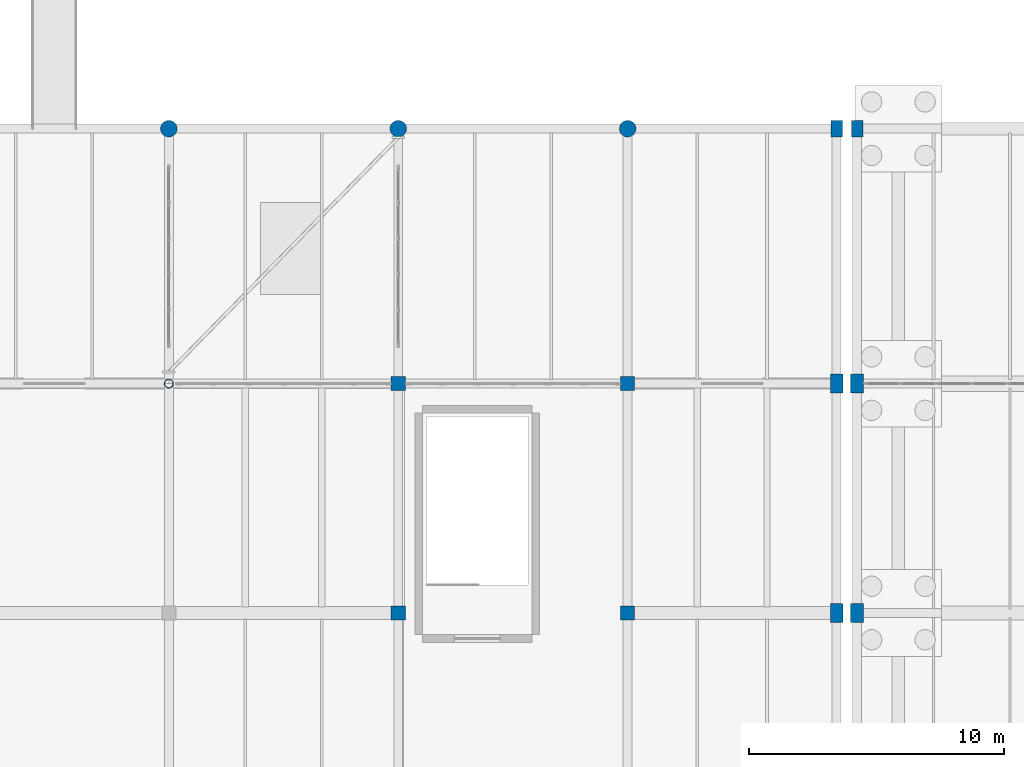
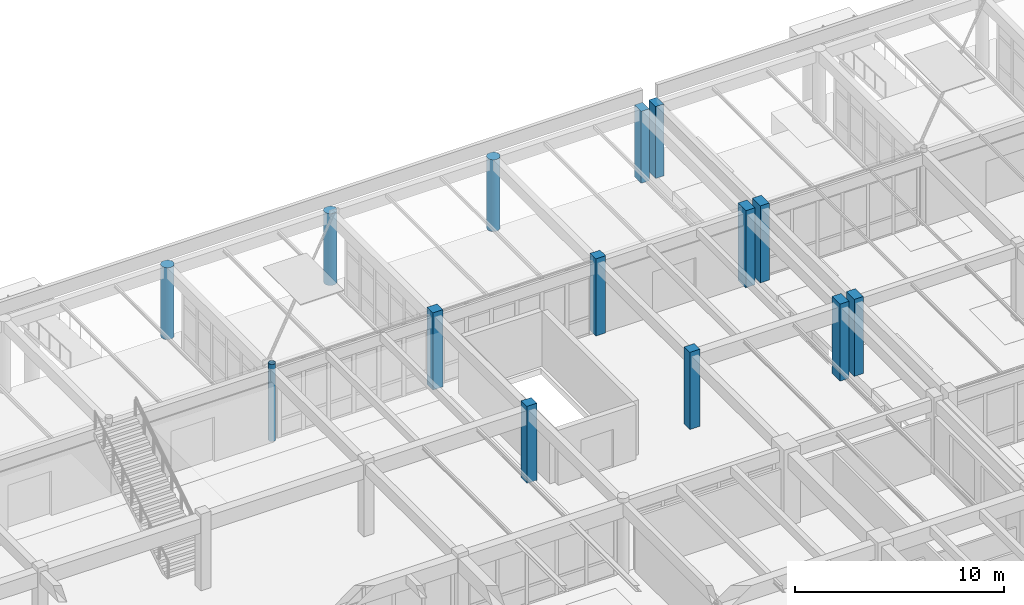
# One storey, part 17 of 186: 14 columns.
"""IFC4 building model written with IfcOpenShell, lengths in metres."""

from ifc_helpers import new_model, si_unit, direction, frame, origin, origin_2d, place, context, subcontext, project, spatial, rectangle, circle, hollow_circle, extrude, material, material_profile, profile_set, type_object, element, save


model = new_model("IFC4")

# Units and contexts
model_context = context("Model", 3, precision=1e-05, world=origin(), true_north=direction((0.0, 1.0)))
body_context = subcontext(model_context, "Body", "Model", "MODEL_VIEW")
ifc_project = project(units=[si_unit("LENGTHUNIT", "METRE"), si_unit("AREAUNIT", "SQUARE_METRE"), si_unit("VOLUMEUNIT", "CUBIC_METRE"), si_unit("PLANEANGLEUNIT", "RADIAN"), si_unit("MASSUNIT", "GRAM", prefix="KILO")], contexts=[model_context])

# Site, building, storey
site_placement = place(None, origin())
site = spatial("IfcSite", under=ifc_project, at=site_placement, CompositionType="ELEMENT")
building_placement = place(site_placement, origin())
building = spatial("IfcBuilding", under=site, at=building_placement, Name="Ornek Quay Market", CompositionType="ELEMENT")
storey_placement = place(building_placement, origin())
storey = spatial("IfcBuildingStorey", under=building, at=storey_placement, Name="L00", CompositionType="ELEMENT", Elevation=0.0)

# Columns
ifc_material_1 = material(Name="Concrete C40/50", Category="concrete")
ifc_material_profile_1 = material_profile(ifc_material_1, rectangle(XDim=0.449951171875, YDim=0.64990234375, at=origin_2d()), Name="RC 450x650", Category="concrete")
ifc_profile_set_1 = profile_set([ifc_material_profile_1], Name="Concrete C40/50")
column_type_1 = type_object("IfcColumnType", Name="COL-MJ-450x650", PredefinedType="COLUMN", material=ifc_profile_set_1)
for number, where, z_axis, x_axis, name in (
    (1, (125.199951171875, 120.0, 0.0), (0.0, 0.0, 1.0), (1.0, 0.0, 0.0), "Column C-MJ2-044"),
    (2, (126.0, 120.0, 0.0), (0.0, 0.0, 1.0), (1.0, 0.0, 0.0), "Column C-MJ2-050"),
):
    element("IfcColumn", number, at=place(storey_placement, frame(where, z_axis=z_axis, x_axis=x_axis)), inside=storey, type_object=column_type_1, Name=name, PredefinedType="COLUMN", context=body_context, shape_type="SweptSolid", body=[
        extrude(rectangle(XDim=0.449951171875, YDim=0.64990234375, at=origin_2d()), origin(), (0.0, 0.0, 1.0), 4.18994140625),
    ])
ifc_material_profile_2 = material_profile(ifc_material_1, rectangle(XDim=0.5, YDim=0.75, at=origin_2d()), Name="RC 500x750", Category="concrete")
ifc_profile_set_2 = profile_set([ifc_material_profile_2], Name="Concrete C40/50")
column_type_2 = type_object("IfcColumnType", Name="COL-MJ-500x750", PredefinedType="COLUMN", material=ifc_profile_set_2)
for number, where, z_axis, x_axis, name in (
    (3, (125.199951171875, 101.0, 0.0), (0.0, 0.0, 1.0), (1.0, 0.0, 0.0), "Column C-MJ1-052"),
    (4, (125.199951171875, 110.0, 0.0), (0.0, 0.0, 1.0), (1.0, 0.0, 0.0), "Column C-MJ1-054"),
    (5, (126.0, 101.0, 0.0), (0.0, 0.0, 1.0), (1.0, 0.0, 0.0), "Column C-MJ1-059"),
    (6, (126.0, 110.0, 0.0), (0.0, 0.0, 1.0), (1.0, 0.0, 0.0), "Column C-MJ1-060"),
):
    element("IfcColumn", number, at=place(storey_placement, frame(where, z_axis=z_axis, x_axis=x_axis)), inside=storey, type_object=column_type_2, Name=name, PredefinedType="COLUMN", context=body_context, shape_type="SweptSolid", body=[
        extrude(rectangle(XDim=0.5, YDim=0.75, at=origin_2d()), origin(), (0.0, 0.0, 1.0), 4.5),
    ])
ifc_material_2 = material(Name="Steel S355", Category="steel")
ifc_material_profile_3 = material_profile(ifc_material_2, hollow_circle(Radius=0.177734375, WallThickness=0.01416015625, at=origin_2d()), Name="CHS 355.6x14.2", Category="steel")
ifc_profile_set_3 = profile_set([ifc_material_profile_3], Name="Steel S355")
column_type_3 = type_object("IfcColumnType", Name="COL-PORCH-CHS355", PredefinedType="PILASTER", material=ifc_profile_set_3)
column_placement = place(storey_placement, frame((99.0, 110.0, 0.0), z_axis=(0.0, 0.0, 1.0), x_axis=(1.0, 0.0, 0.0)))
element("IfcColumn", 7, at=column_placement, inside=storey, type_object=column_type_3, Name="Column C-ST2-003", PredefinedType="PILASTER", context=body_context, shape_type="SweptSolid", body=[
    extrude(hollow_circle(Radius=0.177734375, WallThickness=0.01416015625, at=origin_2d()), origin(), (0.0, 0.0, 1.0), 4.5),
])
ifc_material_profile_4 = material_profile(ifc_material_1, circle(Radius=0.324951171875, at=origin_2d()), Name="RC D650", Category="concrete")
ifc_profile_set_4 = profile_set([ifc_material_profile_4], Name="Concrete C40/50")
column_type_4 = type_object("IfcColumnType", Name="COL-QUAY-D650", PredefinedType="COLUMN", material=ifc_profile_set_4)
for number, where, z_axis, x_axis, name in (
    (8, (99.0, 120.0, 0.0), (0.0, 0.0, 1.0), (1.0, 0.0, 0.0), "Column C-QD1-011"),
    (9, (108.0, 120.0, 0.0), (0.0, 0.0, 1.0), (1.0, 0.0, 0.0), "Column C-QD1-012"),
    (10, (117.0, 120.0, 0.0), (0.0, 0.0, 1.0), (1.0, 0.0, 0.0), "Column C-QD1-013"),
):
    element("IfcColumn", number, at=place(storey_placement, frame(where, z_axis=z_axis, x_axis=x_axis)), inside=storey, type_object=column_type_4, Name=name, PredefinedType="COLUMN", context=body_context, shape_type="SweptSolid", body=[
        extrude(circle(Radius=0.324951171875, at=origin_2d()), origin(), (0.0, 0.0, 1.0), 4.18994140625),
    ])
ifc_material_profile_5 = material_profile(ifc_material_1, rectangle(XDim=0.550048828125, YDim=0.550048828125, at=origin_2d()), Name="RC 550x550", Category="concrete")
ifc_profile_set_5 = profile_set([ifc_material_profile_5], Name="Concrete C40/50")
column_type_5 = type_object("IfcColumnType", Name="COL-RC-550x550", PredefinedType="COLUMN", material=ifc_profile_set_5)
for number, where, z_axis, x_axis, name in (
    (11, (108.0, 101.0, 0.0), (0.0, 0.0, 1.0), (1.0, 0.0, 0.0), "Column C-55-058"),
    (12, (108.0, 110.0, 0.0), (0.0, 0.0, 1.0), (1.0, 0.0, 0.0), "Column C-55-059"),
    (13, (117.0, 101.0, 0.0), (0.0, 0.0, 1.0), (1.0, 0.0, 0.0), "Column C-55-060"),
    (14, (117.0, 110.0, 0.0), (0.0, 0.0, 1.0), (1.0, 0.0, 0.0), "Column C-55-061"),
):
    element("IfcColumn", number, at=place(storey_placement, frame(where, z_axis=z_axis, x_axis=x_axis)), inside=storey, type_object=column_type_5, Name=name, PredefinedType="COLUMN", context=body_context, shape_type="SweptSolid", body=[
        extrude(rectangle(XDim=0.550048828125, YDim=0.550048828125, at=origin_2d()), origin(), (0.0, 0.0, 1.0), 4.5),
    ])

save(model, "model.ifc")
